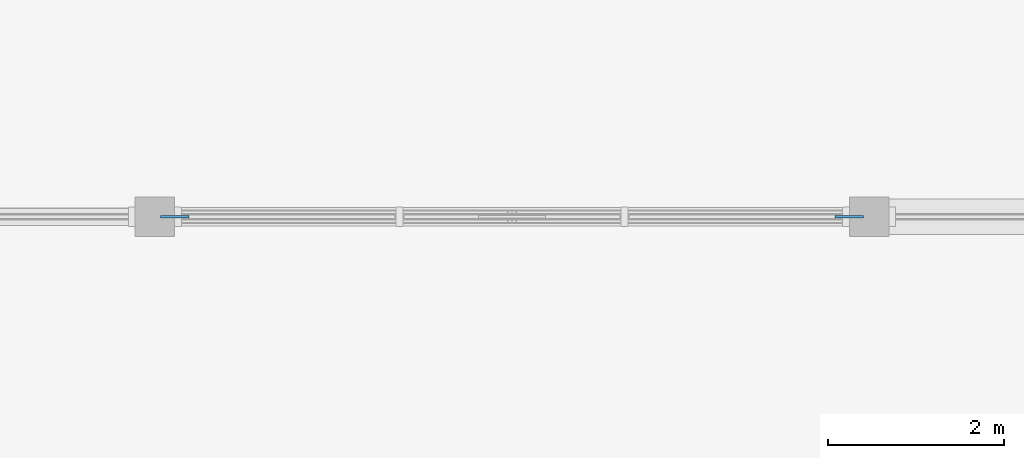
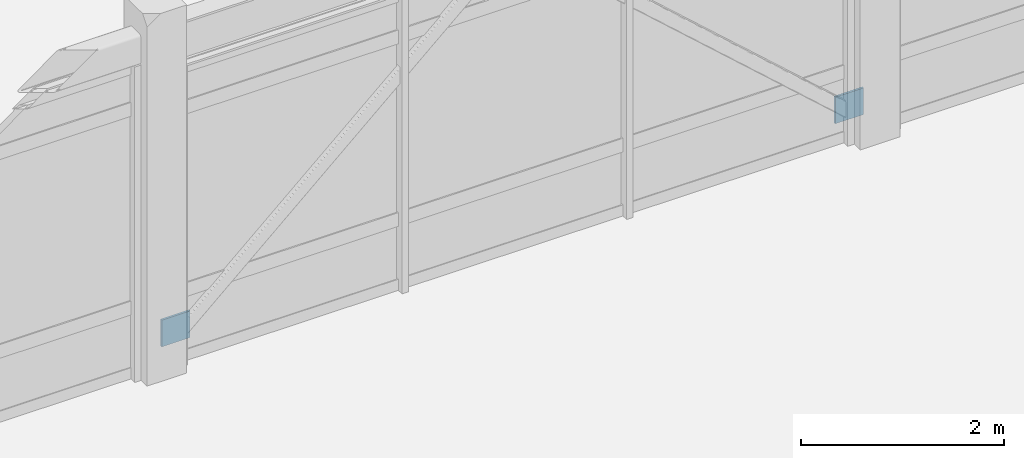
# One storey, part 76 of 89: 2 discrete accessories.
"""IFC4 building model written with IfcOpenShell, lengths in metres."""

from ifc_helpers import new_model, si_unit, direction, frame, origin, origin_2d, place, context, subcontext, project, spatial, rectangle, extrude, material, type_object, element, save


model = new_model("IFC4")

# Units and contexts
model_context = context("Model", 3, precision=1e-05, world=origin(), true_north=direction((0.0, 1.0)))
body_context = subcontext(model_context, "Body", "Model", "MODEL_VIEW")
ifc_project = project(units=[si_unit("LENGTHUNIT", "METRE"), si_unit("AREAUNIT", "SQUARE_METRE"), si_unit("VOLUMEUNIT", "CUBIC_METRE"), si_unit("PLANEANGLEUNIT", "RADIAN"), si_unit("MASSUNIT", "GRAM", prefix="KILO")], contexts=[model_context])

# Site, building, storey
site_placement = place(None, origin())
site = spatial("IfcSite", under=ifc_project, at=site_placement, CompositionType="ELEMENT")
building_placement = place(site_placement, origin())
building = spatial("IfcBuilding", under=site, at=building_placement, Name="Vaudrelin Polytechnic", CompositionType="ELEMENT")
storey_placement = place(building_placement, frame((0.0, 0.0, 9.68994140625)))
storey = spatial("IfcBuildingStorey", under=building, at=storey_placement, Name="L02", CompositionType="ELEMENT", Elevation=9.68994140625)

# Discrete accessories
ifc_material = material(Name="Steel CSA G40.21 350WT", Category="steel")
discrete_accessory_type = type_object("IfcDiscreteAccessoryType", Name="ACC-CPL-01", PredefinedType="BRACKET", material=ifc_material)
for number, where, z_axis, x_axis, name in (
    (1, (105.52490234375, 32.39990234375, 0.240234375), (0.0, 0.0, 1.0), (1.0, 0.0, 0.0), "Brace end connection plate CPL-017"),
    (2, (113.175048828125, 32.39990234375, 0.240234375), (0.0, 0.0, 1.0), (1.0, 0.0, 0.0), "Brace end connection plate CPL-018"),
):
    element("IfcDiscreteAccessory", number, at=place(storey_placement, frame(where, z_axis=z_axis, x_axis=x_axis)), inside=storey, type_object=discrete_accessory_type, Name=name, PredefinedType="BRACKET", context=body_context, shape_type="SweptSolid", body=[
        extrude(rectangle(XDim=0.320068359375, YDim=0.02392578125, at=origin_2d()), origin(), (0.0, 0.0, 1.0), 0.320068359375),
    ])

save(model, "model.ifc")
